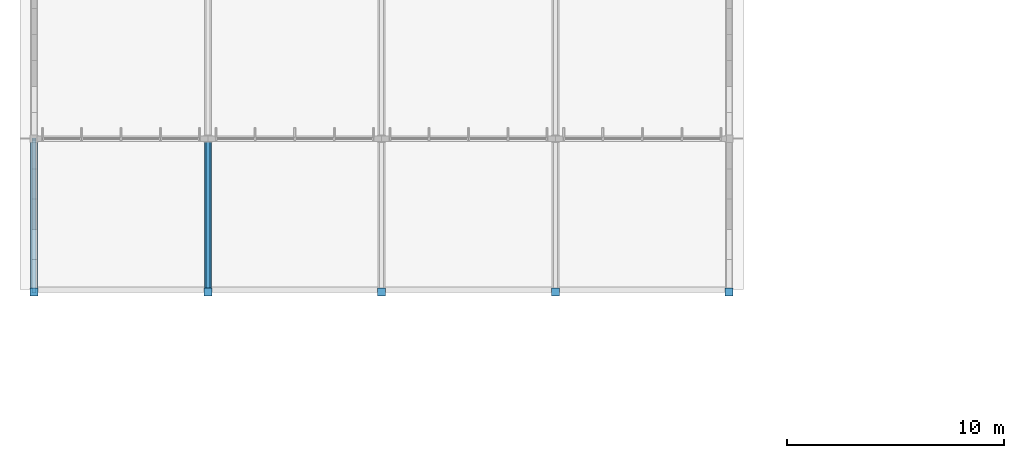
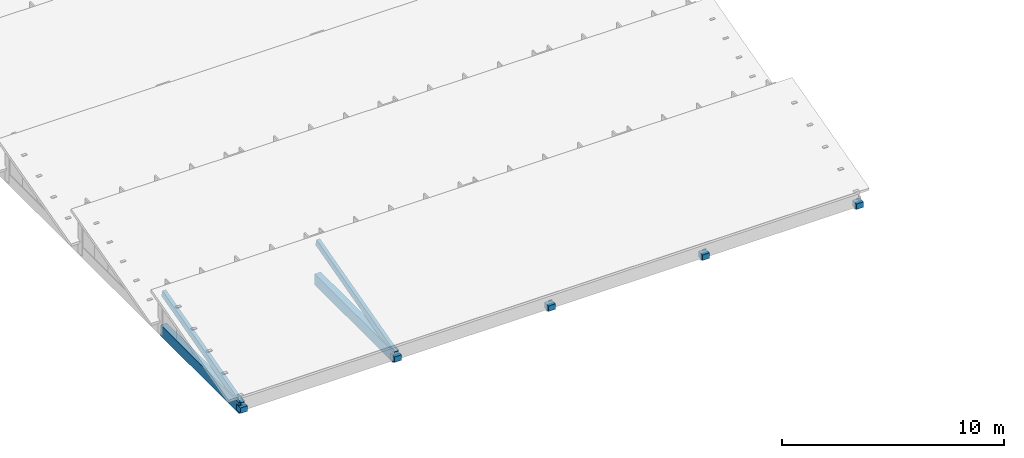
# One storey, part 6 of 94: 5 columns, 4 members.
"""IFC4 building model written with IfcOpenShell, lengths in metres."""

from ifc_helpers import new_model, si_unit, direction, frame, origin, origin_2d, place, context, subcontext, project, spatial, rectangle, extrude, material, material_profile, profile_set, type_object, element, save


model = new_model("IFC4")

# Units and contexts
model_context = context("Model", 3, precision=1e-05, world=origin(), true_north=direction((0.0, 1.0)))
body_context = subcontext(model_context, "Body", "Model", "MODEL_VIEW")
ifc_project = project(units=[si_unit("LENGTHUNIT", "METRE"), si_unit("AREAUNIT", "SQUARE_METRE"), si_unit("VOLUMEUNIT", "CUBIC_METRE"), si_unit("PLANEANGLEUNIT", "RADIAN"), si_unit("MASSUNIT", "GRAM", prefix="KILO")], contexts=[model_context])

# Site, building, storey
site_placement = place(None, origin())
site = spatial("IfcSite", under=ifc_project, at=site_placement, CompositionType="ELEMENT")
building_placement = place(site_placement, origin())
building = spatial("IfcBuilding", under=site, at=building_placement, Name="Chiffa Square Polytechnic", CompositionType="ELEMENT")
storey_placement = place(building_placement, frame((0.0, 0.0, 18.0)))
storey = spatial("IfcBuildingStorey", under=building, at=storey_placement, Name="L04", CompositionType="ELEMENT", Elevation=18.0)

# Columns
ifc_material_1 = material(Name="Glulam GL32c", Category="wood")
ifc_material_profile_1 = material_profile(ifc_material_1, rectangle(XDim=0.360107421875, YDim=0.360107421875, at=origin_2d()), Name="GL32c 360x360")
ifc_profile_set_1 = profile_set([ifc_material_profile_1], Name="Glulam GL32c")
column_type = type_object("IfcColumnType", Name="COL-GL-360", PredefinedType="COLUMN", material=ifc_profile_set_1)
for number, where, z_axis, x_axis, name in (
    (1, (0.0, 36.75, 0.0), (0.0, 0.0, 1.0), (1.0, 0.0, 0.0), "Sawtooth eave post C-V6-SAW-001A"),
    (2, (8.0, 36.75, 0.0), (0.0, 0.0, 1.0), (1.0, 0.0, 0.0), "Sawtooth eave post C-V6-SAW-002A"),
    (3, (16.0, 36.75, 0.0), (0.0, 0.0, 1.0), (1.0, 0.0, 0.0), "Sawtooth eave post C-V6-SAW-003A"),
    (4, (24.0, 36.75, 0.0), (0.0, 0.0, 1.0), (1.0, 0.0, 0.0), "Sawtooth eave post C-V6-SAW-004A"),
    (5, (32.0, 36.75, 0.0), (0.0, 0.0, 1.0), (1.0, 0.0, 0.0), "Sawtooth eave post C-V6-SAW-005A"),
):
    element("IfcColumn", number, at=place(storey_placement, frame(where, z_axis=z_axis, x_axis=x_axis)), inside=storey, type_object=column_type, Name=name, PredefinedType="COLUMN", context=body_context, shape_type="SweptSolid", body=[
        extrude(rectangle(XDim=0.360107421875, YDim=0.360107421875, at=origin_2d()), origin(), (0.0, 0.0, 1.0), 0.300048828125),
    ])

# Members
ifc_material_profile_2 = material_profile(ifc_material_1, rectangle(XDim=0.320068359375, YDim=0.60009765625, at=origin_2d()), Name="GL32c 320x600")
ifc_profile_set_2 = profile_set([ifc_material_profile_2], Name="Glulam GL32c")
member_type_1 = type_object("IfcMemberType", Name="MEM-CHORD-GL320", PredefinedType="CHORD", material=ifc_profile_set_2)
for number, where, z_axis, x_axis, name in (
    (6, (0.0, 36.75, 0.179931640625), (0.0, 1.0, 0.0), (-1.0, 0.0, 0.0), "Studio sawtooth tie chord TCB-V6-SAW-001"),
    (7, (8.0, 36.75, 0.179931640625), (0.0, 1.0, 0.0), (-1.0, 0.0, 0.0), "Studio sawtooth tie chord TCB-V6-SAW-002"),
):
    element("IfcMember", number, at=place(storey_placement, frame(where, z_axis=z_axis, x_axis=x_axis)), inside=storey, type_object=member_type_1, Name=name, PredefinedType="CHORD", context=body_context, shape_type="SweptSolid", body=[
        extrude(rectangle(XDim=0.320068359375, YDim=0.60009765625, at=origin_2d()), origin(), (0.0, 0.0, 1.0), 7.050048828125),
    ])
ifc_material_2 = material(Name="Glulam GL28h", Category="wood")
ifc_material_profile_3 = material_profile(ifc_material_2, rectangle(XDim=0.179931640625, YDim=0.360107421875, at=origin_2d()), Name="GL28h 180x360")
ifc_profile_set_3 = profile_set([ifc_material_profile_3], Name="Glulam GL28h")
member_type_2 = type_object("IfcMemberType", Name="MEM-RFT-GL180", PredefinedType="RAFTER", material=ifc_profile_set_3)
for number, where, z_axis, x_axis, name in (
    (8, (0.0, 36.75, 0.300048828125), (0.0, 0.96593058294, 0.258801292385), (-1.0, 0.0, 0.0), "Studio sawtooth glulam rafter RF-V6-L04-001"),
    (9, (8.0, 36.75, 0.300048828125), (0.0, 0.96593058294, 0.258801292385), (-1.0, 0.0, 0.0), "Studio sawtooth glulam rafter RF-V6-L04-002"),
):
    element("IfcMember", number, at=place(storey_placement, frame(where, z_axis=z_axis, x_axis=x_axis)), inside=storey, type_object=member_type_2, Name=name, PredefinedType="RAFTER", context=body_context, shape_type="SweptSolid", body=[
        extrude(rectangle(XDim=0.179931640625, YDim=0.360107421875, at=origin_2d()), origin(), (0.0, 0.0, 1.0), 7.298828125),
    ])

save(model, "model.ifc")
